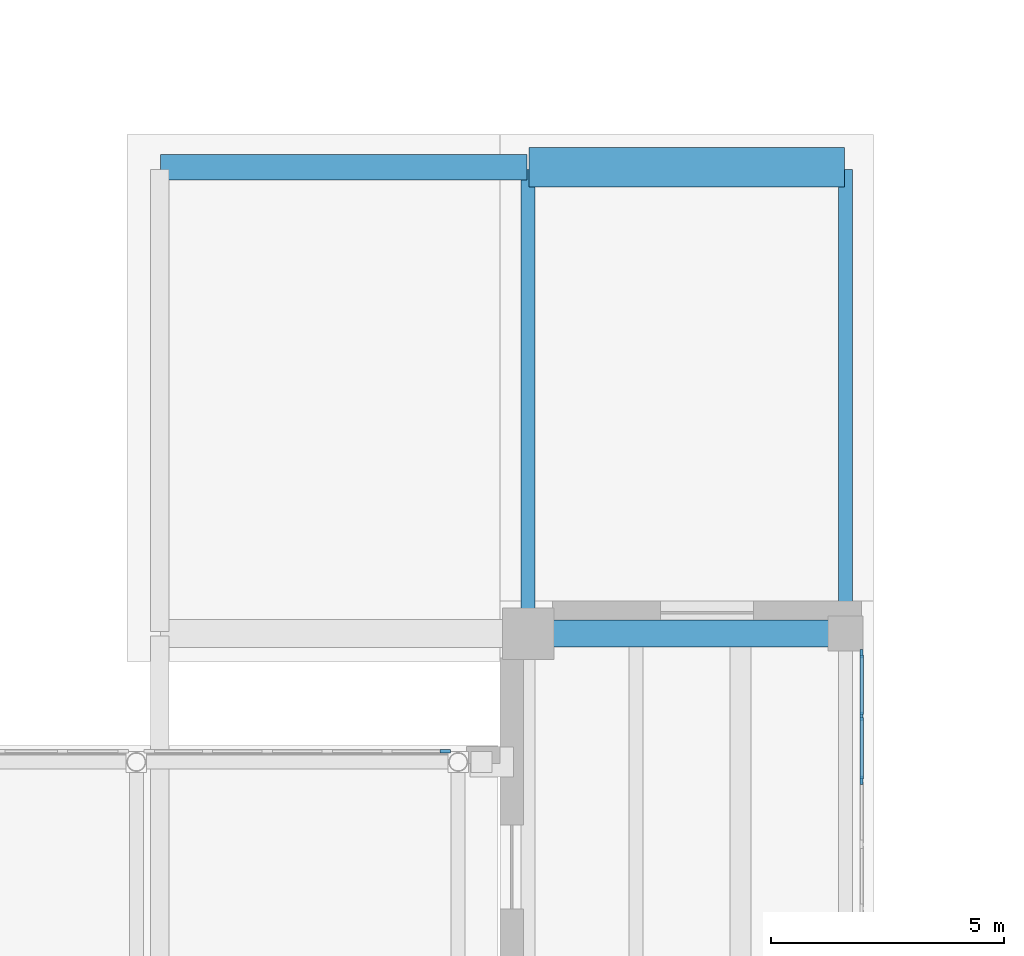
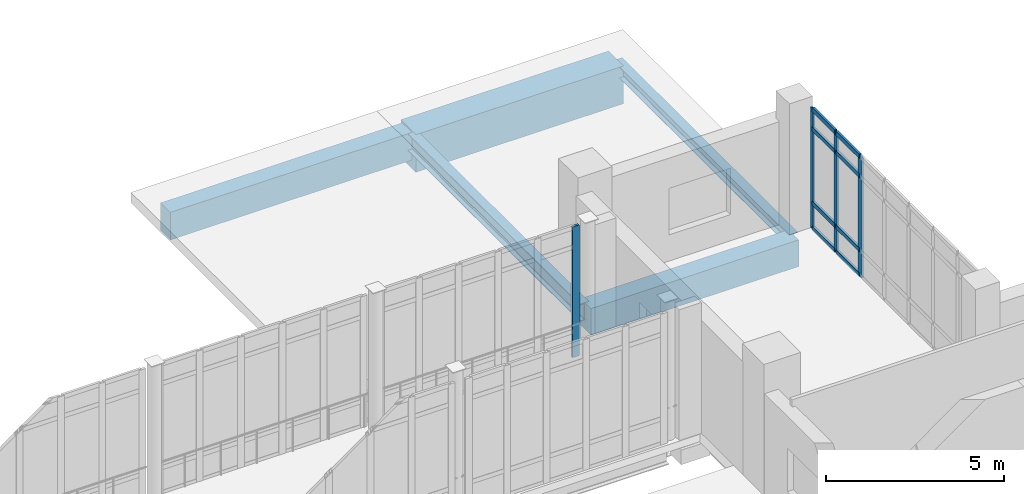
# One storey, part 30 of 75: 12 members, 5 beams, 2 elements without a shape of their own.
"""IFC4 building model written with IfcOpenShell, lengths in metres."""

from ifc_helpers import new_model, si_unit, direction, frame, origin, origin_2d, place, context, subcontext, project, spatial, rectangle, i_section, extrude, material, material_profile, profile_set, type_object, element, aggregate, save


model = new_model("IFC4")

# Units and contexts
model_context = context("Model", 3, precision=1e-05, world=origin(), true_north=direction((0.0, 1.0)))
body_context = subcontext(model_context, "Body", "Model", "MODEL_VIEW")
ifc_project = project(units=[si_unit("LENGTHUNIT", "METRE"), si_unit("AREAUNIT", "SQUARE_METRE"), si_unit("VOLUMEUNIT", "CUBIC_METRE"), si_unit("PLANEANGLEUNIT", "RADIAN"), si_unit("MASSUNIT", "GRAM", prefix="KILO")], contexts=[model_context])

# Site, building, storey
site_placement = place(None, origin())
site = spatial("IfcSite", under=ifc_project, at=site_placement, CompositionType="ELEMENT")
building_placement = place(site_placement, origin())
building = spatial("IfcBuilding", under=site, at=building_placement, Name="Soyqirgoq Riverine Aquarium", CompositionType="ELEMENT")
storey_placement = place(building_placement, frame((0.0, 0.0, 10.199951171875)))
storey = spatial("IfcBuildingStorey", under=building, at=storey_placement, Name="L03", CompositionType="ELEMENT", Elevation=10.199951171875)

# Curtain wall, members
ifc_material_1 = material(Name="Anodised aluminium thermally broken gallery curtain wall", Category="aluminium")
curtain_wall_type_1 = type_object("IfcCurtainWallType", Name="CW_Pavilion_Ribbon", PredefinedType="NOTDEFINED", material=ifc_material_1)
curtain_wall_1_placement = place(storey_placement, origin())
curtain_wall_1 = element("IfcCurtainWall", 1, at=curtain_wall_1_placement, inside=storey, type_object=curtain_wall_type_1, Name="V7 L03 Curtain Wall 132", PredefinedType="NOTDEFINED")
ifc_material_2 = material(Name="Anodised aluminium 6063-T6", Category="aluminium")
ifc_material_profile_1 = material_profile(ifc_material_2, rectangle(XDim=0.06494140625, YDim=0.179931640625, at=origin_2d()), Name="ALU-M 65x180")
ifc_profile_set_1 = profile_set([ifc_material_profile_1], Name="Anodised aluminium 6063-T6")
member_type_1 = type_object("IfcMemberType", Name="CWMullion_65x180", PredefinedType="MULLION", material=ifc_profile_set_1)
member_1_placement = place(storey_placement, frame((129.75, 84.37255859375, 0.0), z_axis=(0.0, 0.0, 1.0), x_axis=(1.0, 0.0, 0.0)))
member_1 = element("IfcMember", 2, at=member_1_placement, type_object=member_type_1, Name="CW-05 mullion 1", PredefinedType="MULLION", context=body_context, shape_type="SweptSolid", body=[
    extrude(rectangle(XDim=0.06494140625, YDim=0.179931640625, at=origin_2d()), origin(), (0.0, 0.0, 1.0), 4.150146484375),
])
member_2_placement = place(storey_placement, frame((129.75, 83.031494140625, 0.0), z_axis=(0.0, 0.0, 1.0), x_axis=(1.0, 0.0, 0.0)))
member_2 = element("IfcMember", 3, at=member_2_placement, type_object=member_type_1, Name="CW-05 mullion 2", PredefinedType="MULLION", context=body_context, shape_type="SweptSolid", body=[
    extrude(rectangle(XDim=0.06494140625, YDim=0.179931640625, at=origin_2d()), origin(), (0.0, 0.0, 1.0), 4.150146484375),
])
member_3_placement = place(storey_placement, frame((129.75, 81.657958984375, 0.0), z_axis=(0.0, 0.0, 1.0), x_axis=(1.0, 0.0, 0.0)))
member_3 = element("IfcMember", 4, at=member_3_placement, type_object=member_type_1, Name="CW-05 mullion 3", PredefinedType="MULLION", context=body_context, shape_type="SweptSolid", body=[
    extrude(rectangle(XDim=0.06494140625, YDim=0.179931640625, at=origin_2d()), origin(), (0.0, 0.0, 1.0), 4.150146484375),
])

# Curtain wall, member
ifc_material_3 = material(Name="Laminated solar-control bridge curtain wall", Category="aluminium")
curtain_wall_type_2 = type_object("IfcCurtainWallType", Name="CW_Bridge_Concourse", PredefinedType="NOTDEFINED", material=ifc_material_3)
curtain_wall_2_placement = place(storey_placement, origin())
curtain_wall_2 = element("IfcCurtainWall", 5, at=curtain_wall_2_placement, inside=storey, type_object=curtain_wall_type_2, Name="BR-2 L03 Curtain Wall 146", PredefinedType="NOTDEFINED")
ifc_material_4 = material(Name="Anodised aluminium 6063-T6", Category="aluminium")
ifc_material_profile_2 = material_profile(ifc_material_4, rectangle(XDim=0.080078125, YDim=0.219970703125, at=origin_2d()), Name="ALU-M 80x220")
ifc_profile_set_2 = profile_set([ifc_material_profile_2], Name="Anodised aluminium 6063-T6")
member_type_2 = type_object("IfcMemberType", Name="CWMullion_80x220", PredefinedType="MULLION", material=ifc_profile_set_2)
member_4_placement = place(storey_placement, frame((120.820068359375, 82.280029296875, 0.0), z_axis=(0.0, 0.0, 1.0), x_axis=(0.0, 1.0, 0.0)))
member_4 = element("IfcMember", 6, at=member_4_placement, type_object=member_type_2, Name="CW-06 mullion 6", PredefinedType="MULLION", context=body_context, shape_type="SweptSolid", body=[
    extrude(rectangle(XDim=0.080078125, YDim=0.219970703125, at=origin_2d()), origin(), (0.0, 0.0, 1.0), 4.5),
])
aggregate(curtain_wall_2, [member_4])

# Member
ifc_material_5 = material(Name="Anodised aluminium 6063-T6", Category="aluminium")
ifc_material_profile_3 = material_profile(ifc_material_5, rectangle(XDim=0.074951171875, YDim=0.14990234375, at=origin_2d()), Name="ALU-T 75x150")
ifc_profile_set_3 = profile_set([ifc_material_profile_3], Name="Anodised aluminium 6063-T6")
member_type_3 = type_object("IfcMemberType", Name="CWTransom_75x150", PredefinedType="USERDEFINED", material=ifc_profile_set_3)
member_5_placement = place(storey_placement, frame((129.75, 84.340087890625, 0.03759765625), z_axis=(0.0, -1.0, 0.0), x_axis=(1.0, 0.0, 0.0)))
member_5 = element("IfcMember", 7, at=member_5_placement, type_object=member_type_3, Name="CW-05 transom 1.1", ObjectType="TRANSOM", PredefinedType="USERDEFINED", context=body_context, shape_type="SweptSolid", body=[
    extrude(rectangle(XDim=0.074951171875, YDim=0.14990234375, at=origin_2d()), origin(), (0.0, 0.0, 1.0), 1.276123046875),
])

member_6_placement = place(storey_placement, frame((129.75, 84.340087890625, 0.900146484375), z_axis=(0.0, -1.0, 0.0), x_axis=(1.0, 0.0, 0.0)))
member_6 = element("IfcMember", 8, at=member_6_placement, type_object=member_type_3, Name="CW-05 transom 1.2", ObjectType="TRANSOM", PredefinedType="USERDEFINED", context=body_context, shape_type="SweptSolid", body=[
    extrude(rectangle(XDim=0.074951171875, YDim=0.14990234375, at=origin_2d()), origin(), (0.0, 0.0, 1.0), 1.276123046875),
])

member_7_placement = place(storey_placement, frame((129.75, 84.340087890625, 3.449951171875), z_axis=(0.0, -1.0, 0.0), x_axis=(1.0, 0.0, 0.0)))
member_7 = element("IfcMember", 9, at=member_7_placement, type_object=member_type_3, Name="CW-05 transom 1.3", ObjectType="TRANSOM", PredefinedType="USERDEFINED", context=body_context, shape_type="SweptSolid", body=[
    extrude(rectangle(XDim=0.074951171875, YDim=0.14990234375, at=origin_2d()), origin(), (0.0, 0.0, 1.0), 1.276123046875),
])

member_8_placement = place(storey_placement, frame((129.75, 84.340087890625, 4.112548828125), z_axis=(0.0, -1.0, 0.0), x_axis=(1.0, 0.0, 0.0)))
member_8 = element("IfcMember", 10, at=member_8_placement, type_object=member_type_3, Name="CW-05 transom 1.4", ObjectType="TRANSOM", PredefinedType="USERDEFINED", context=body_context, shape_type="SweptSolid", body=[
    extrude(rectangle(XDim=0.074951171875, YDim=0.14990234375, at=origin_2d()), origin(), (0.0, 0.0, 1.0), 1.276123046875),
])

member_9_placement = place(storey_placement, frame((129.75, 82.9990234375, 0.03759765625), z_axis=(0.0, -1.0, 0.0), x_axis=(1.0, 0.0, 0.0)))
member_9 = element("IfcMember", 11, at=member_9_placement, type_object=member_type_3, Name="CW-05 transom 2.1", ObjectType="TRANSOM", PredefinedType="USERDEFINED", context=body_context, shape_type="SweptSolid", body=[
    extrude(rectangle(XDim=0.074951171875, YDim=0.14990234375, at=origin_2d()), origin(), (0.0, 0.0, 1.0), 1.30859375),
])

member_10_placement = place(storey_placement, frame((129.75, 82.9990234375, 0.900146484375), z_axis=(0.0, -1.0, 0.0), x_axis=(1.0, 0.0, 0.0)))
member_10 = element("IfcMember", 12, at=member_10_placement, type_object=member_type_3, Name="CW-05 transom 2.2", ObjectType="TRANSOM", PredefinedType="USERDEFINED", context=body_context, shape_type="SweptSolid", body=[
    extrude(rectangle(XDim=0.074951171875, YDim=0.14990234375, at=origin_2d()), origin(), (0.0, 0.0, 1.0), 1.30859375),
])

member_11_placement = place(storey_placement, frame((129.75, 82.9990234375, 3.449951171875), z_axis=(0.0, -1.0, 0.0), x_axis=(1.0, 0.0, 0.0)))
member_11 = element("IfcMember", 13, at=member_11_placement, type_object=member_type_3, Name="CW-05 transom 2.3", ObjectType="TRANSOM", PredefinedType="USERDEFINED", context=body_context, shape_type="SweptSolid", body=[
    extrude(rectangle(XDim=0.074951171875, YDim=0.14990234375, at=origin_2d()), origin(), (0.0, 0.0, 1.0), 1.30859375),
])

member_12_placement = place(storey_placement, frame((129.75, 82.9990234375, 4.112548828125), z_axis=(0.0, -1.0, 0.0), x_axis=(1.0, 0.0, 0.0)))
member_12 = element("IfcMember", 14, at=member_12_placement, type_object=member_type_3, Name="CW-05 transom 2.4", ObjectType="TRANSOM", PredefinedType="USERDEFINED", context=body_context, shape_type="SweptSolid", body=[
    extrude(rectangle(XDim=0.074951171875, YDim=0.14990234375, at=origin_2d()), origin(), (0.0, 0.0, 1.0), 1.30859375),
])

aggregate(curtain_wall_1, [member_1, member_2, member_3, member_5, member_6, member_7, member_8, member_9, member_10, member_11, member_12])

# Beams
ifc_material_6 = material(Name="Concrete C40/50", Category="concrete")
ifc_material_profile_4 = material_profile(ifc_material_6, rectangle(XDim=0.550048828125, YDim=0.949951171875, at=origin_2d()), Name="RC 550x950")
ifc_profile_set_4 = profile_set([ifc_material_profile_4], Name="Concrete C40/50")
beam_type_1 = type_object("IfcBeamType", Name="Girder_RC_550x950", PredefinedType="BEAM", material=ifc_profile_set_4)
beam_1_placement = place(storey_placement, frame((114.719970703125, 94.800048828125, -0.824951171875), z_axis=(1.0, 0.0, 0.0), x_axis=(0.0, 1.0, 0.0)))
element("IfcBeam", 15, at=beam_1_placement, inside=storey, type_object=beam_type_1, Name="V7 L03 East-West Frame Girder 1365", PredefinedType="BEAM", context=body_context, shape_type="SweptSolid", body=[
    extrude(rectangle(XDim=0.550048828125, YDim=0.949951171875, at=origin_2d()), origin(), (0.0, 0.0, 1.0), 7.860107421875),
])
ifc_material_7 = material(Name="Concrete C40/50", Category="concrete")
ifc_material_profile_5 = material_profile(ifc_material_7, rectangle(XDim=0.580078125, YDim=0.919921875, at=origin_2d()), Name="RC 580x920")
ifc_profile_set_5 = profile_set([ifc_material_profile_5], Name="Concrete C40/50")
beam_type_2 = type_object("IfcBeamType", Name="Girder_RC_580x920", PredefinedType="BEAM", material=ifc_profile_set_5)
beam_2_placement = place(storey_placement, frame((122.6201171875, 84.800048828125, -0.81005859375), z_axis=(1.0, 0.0, 0.0), x_axis=(0.0, 1.0, 0.0)))
element("IfcBeam", 16, at=beam_2_placement, inside=storey, type_object=beam_type_2, Name="V7 L03 East-West Frame Girder 1372", PredefinedType="BEAM", context=body_context, shape_type="SweptSolid", body=[
    extrude(rectangle(XDim=0.580078125, YDim=0.919921875, at=origin_2d()), origin(), (0.0, 0.0, 1.0), 6.759765625),
])
ifc_material_8 = material(Name="Concrete C40/50", Category="concrete")
ifc_material_profile_6 = material_profile(ifc_material_8, rectangle(XDim=0.85009765625, YDim=1.300048828125, at=origin_2d()), Name="RC 850x1300")
ifc_profile_set_6 = profile_set([ifc_material_profile_6], Name="Concrete C40/50")
beam_type_3 = type_object("IfcBeamType", Name="Girder_RC_850x1300", PredefinedType="BEAM", material=ifc_profile_set_6)
beam_3_placement = place(storey_placement, frame((122.6201171875, 94.800048828125, -1.0), z_axis=(1.0, 0.0, 0.0), x_axis=(0.0, 1.0, 0.0)))
element("IfcBeam", 17, at=beam_3_placement, inside=storey, type_object=beam_type_3, Name="V7 L03 East-West Frame Girder 1373", PredefinedType="BEAM", context=body_context, shape_type="SweptSolid", body=[
    extrude(rectangle(XDim=0.85009765625, YDim=1.300048828125, at=origin_2d()), origin(), (0.0, 0.0, 1.0), 6.759765625),
])
ifc_material_9 = material(Name="Structural steel S355", Category="steel")
ifc_material_profile_7 = material_profile(ifc_material_9, i_section(OverallWidth=0.300048828125, OverallDepth=0.389892578125, WebThickness=0.010986328125, FlangeThickness=0.01904296875, FilletRadius=0.027099609375, at=origin_2d()), Name="HEA 400")
ifc_profile_set_7 = profile_set([ifc_material_profile_7], Name="Structural steel S355")
beam_type_4 = type_object("IfcBeamType", Name="SteelBeam_HEA400", PredefinedType="BEAM", material=ifc_profile_set_7)
beam_4_placement = place(storey_placement, frame((129.39990234375, 84.85009765625, -0.544921875), z_axis=(0.0, 1.0, 0.0), x_axis=(-1.0, 0.0, 0.0)))
element("IfcBeam", 18, at=beam_4_placement, inside=storey, type_object=beam_type_4, Name="V7 L03 North-South Frame Beam 1377", PredefinedType="BEAM", context=body_context, shape_type="SweptSolid", body=[
    extrude(i_section(OverallWidth=0.300048828125, OverallDepth=0.389892578125, WebThickness=0.010986328125, FlangeThickness=0.01904296875, FilletRadius=0.027099609375, at=origin_2d()), origin(), (0.0, 0.0, 1.0), 9.89990234375),
])
ifc_material_10 = material(Name="Structural steel S355", Category="steel")
ifc_material_profile_8 = material_profile(ifc_material_10, i_section(OverallWidth=0.300048828125, OverallDepth=0.590087890625, WebThickness=0.012939453125, FlangeThickness=0.02490234375, FilletRadius=0.027099609375, at=origin_2d()), Name="HEA 600")
ifc_profile_set_8 = profile_set([ifc_material_profile_8], Name="Structural steel S355")
beam_type_5 = type_object("IfcBeamType", Name="SteelBeam_HEA600", PredefinedType="BEAM", material=ifc_profile_set_8)
beam_5_placement = place(storey_placement, frame((122.60009765625, 84.85009765625, -0.64501953125), z_axis=(0.0, 1.0, 0.0), x_axis=(-1.0, 0.0, 0.0)))
element("IfcBeam", 19, at=beam_5_placement, inside=storey, type_object=beam_type_5, Name="V7 L03 North-South Frame Beam 1371", PredefinedType="BEAM", context=body_context, shape_type="SweptSolid", body=[
    extrude(i_section(OverallWidth=0.300048828125, OverallDepth=0.590087890625, WebThickness=0.012939453125, FlangeThickness=0.02490234375, FilletRadius=0.027099609375, at=origin_2d()), origin(), (0.0, 0.0, 1.0), 9.89990234375),
])

save(model, "model.ifc")
